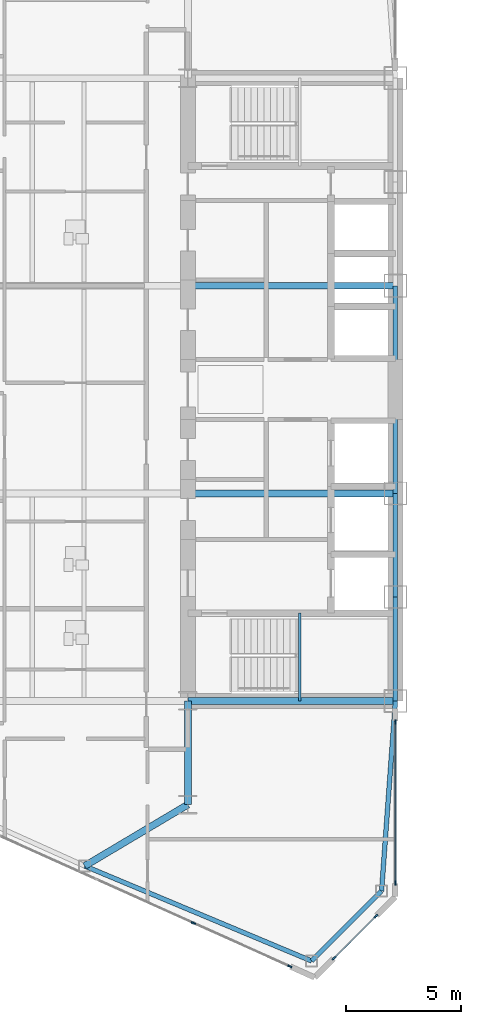
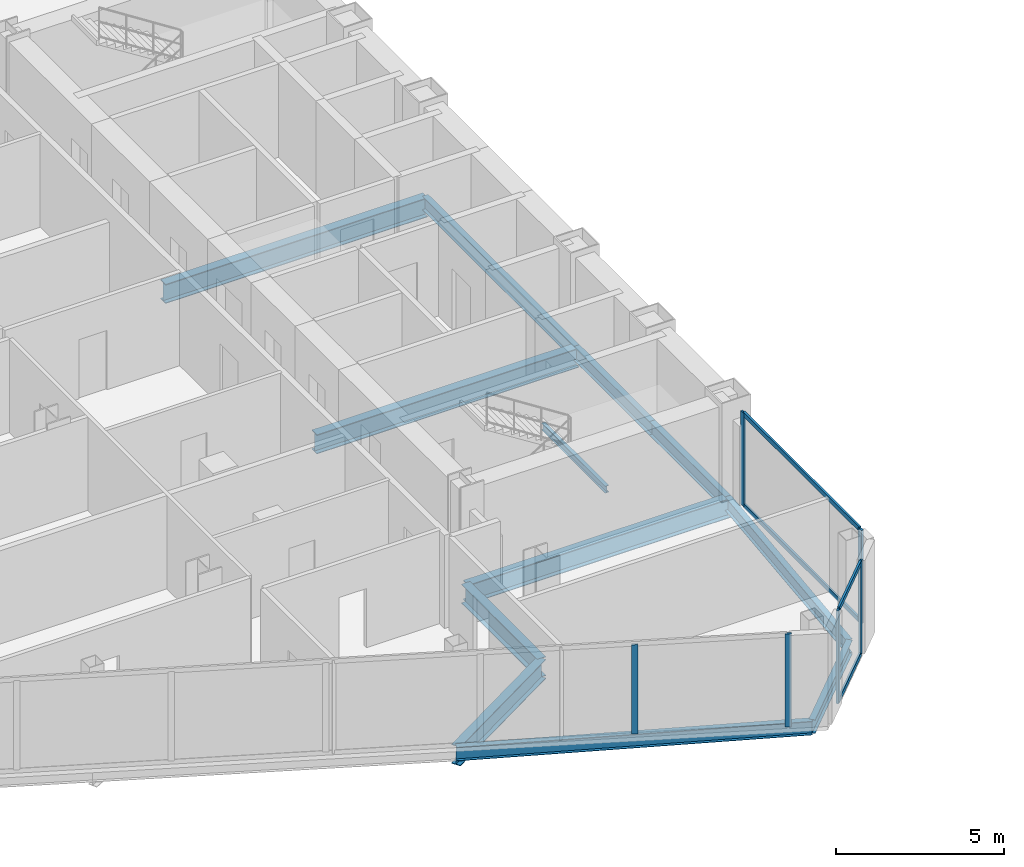
# One storey, part 6 of 27: 12 beams, 10 members, 3 elements without a shape of their own.
"""IFC4 building model written with IfcOpenShell, lengths in metres."""

import ifcopenshell
import ifcopenshell.guid

model = None  # the IFC model being written
_history = None  # IfcOwnerHistory: only IFC2X3 demands one
_inside = {}  # id of a spatial element -> (the spatial element, [elements in it])
_under = {}  # id of a project, library or spatial element -> (it, [spatial elements below it])
_declared = {}  # id of a project -> (the project, [libraries it declares])
_typed = {}  # id of a type object -> (the type object, [elements of that type])
_made_of = {}  # id of a material, layer set ... -> (it, [elements and type objects made of it])


def new_model(schema):
    """Start an empty IFC model of exactly this schema.

    Asked for "IFC4X3", IfcOpenShell would pick the latest addendum, in which some entities
    have other attributes; the version numbers below select the first issue.
    IFC2X3 requires an IfcOwnerHistory on every rooted entity: one is made here for all.
    """
    global model, _history
    if schema == "IFC4X3":
        model = ifcopenshell.file(schema_version=(4, 3, 0, 0))
    else:
        model = ifcopenshell.file(schema=schema)
    _inside.clear()
    _under.clear()
    _declared.clear()
    _typed.clear()
    _made_of.clear()
    _history = None
    if model.schema == "IFC2X3":
        org = make("IfcOrganization", Name="unknown")
        user = make(
            "IfcPersonAndOrganization",
            ThePerson=make("IfcPerson", FamilyName="unknown"),
            TheOrganization=org,
        )
        app = make(
            "IfcApplication",
            ApplicationDeveloper=org,
            Version="unknown",
            ApplicationFullName="unknown",
            ApplicationIdentifier="unknown",
        )
        _history = make(
            "IfcOwnerHistory",
            OwningUser=user,
            OwningApplication=app,
            ChangeAction="ADDED",
            CreationDate=0,
        )
    return model


def make(cls, **values):
    """One entity of the class cls with the attributes given. An attribute that is None is left unset."""
    return model.create_entity(
        cls, **{name: value for name, value in values.items() if value is not None}
    )


def rooted(cls, **values):
    """An entity with a GlobalId (a new one), such as an element, a storey or a relation."""
    return make(cls, GlobalId=ifcopenshell.guid.new(), OwnerHistory=_history, **values)


def si_unit(unit_type, name, prefix=None):
    """IfcSIUnit, for example si_unit("LENGTHUNIT", "METRE", prefix="MILLI")."""
    return make("IfcSIUnit", UnitType=unit_type, Prefix=prefix, Name=name)


def assignment(units):
    """IfcUnitAssignment: the units of a project."""
    return None if units is None else make("IfcUnitAssignment", Units=units)


def point(xyz):
    """IfcCartesianPoint."""
    return None if xyz is None else make("IfcCartesianPoint", Coordinates=xyz)


def direction(xyz):
    """IfcDirection."""
    return None if xyz is None else make("IfcDirection", DirectionRatios=xyz)


def frame(location, z_axis=None, x_axis=None):
    """IfcAxis2Placement3D, a coordinate frame: its origin and axes. An axis left out is left unset."""
    return make(
        "IfcAxis2Placement3D",
        Location=point(location),
        Axis=direction(z_axis),
        RefDirection=direction(x_axis),
    )


def frame_2d(location, x_axis=None):
    """IfcAxis2Placement2D, a coordinate frame in the plane: its origin and x axis."""
    return make(
        "IfcAxis2Placement2D", Location=point(location), RefDirection=direction(x_axis)
    )


def origin():
    """The frame at (0, 0, 0) with its axes left unset."""
    return frame((0.0, 0.0, 0.0))


def origin_2d():
    """The frame at (0, 0) in the plane with its x axis left unset."""
    return frame_2d((0.0, 0.0))


def place(relative_to, where):
    """IfcLocalPlacement: puts the frame where relative to a parent placement (None: the world)."""
    return make(
        "IfcLocalPlacement", PlacementRelTo=relative_to, RelativePlacement=where
    )


def context(
    kind, dimensions, precision=None, world=None, true_north=None, identifier=None
):
    """IfcGeometricRepresentationContext, for example the 3D "Model" context."""
    return make(
        "IfcGeometricRepresentationContext",
        ContextIdentifier=identifier,
        ContextType=kind,
        CoordinateSpaceDimension=dimensions,
        Precision=precision,
        WorldCoordinateSystem=world,
        TrueNorth=true_north,
    )


def subcontext(parent, identifier, kind, view, scale=None):
    """IfcGeometricRepresentationSubContext, for example "Body" below "Model"."""
    return make(
        "IfcGeometricRepresentationSubContext",
        ContextIdentifier=identifier,
        ContextType=kind,
        ParentContext=parent,
        TargetScale=scale,
        TargetView=view,
    )


def project(units=None, contexts=None):
    """IfcProject with its units and contexts."""
    return rooted(
        "IfcProject",
        Name="project",
        RepresentationContexts=contexts,
        UnitsInContext=assignment(units),
    )


def spatial(cls, under=None, at=None, **own):
    """A site, building, storey or space (cls), placed at a placement, below another one or the project."""
    s = rooted(cls, ObjectPlacement=at, **own)
    if under is not None:
        _under.setdefault(under.id(), (under, []))[1].append(s)
    return s


def profile(cls, at=None, kind="AREA", **sizes):
    """A parametric profile (cls). Its sizes go by their IFC names, for example OverallWidth=200.0."""
    return make(cls, ProfileType=kind, Position=at, **sizes)


def rectangle(**sizes):
    """IfcRectangleProfileDef."""
    return profile("IfcRectangleProfileDef", **sizes)


def i_section(**sizes):
    """IfcIShapeProfileDef."""
    return profile("IfcIShapeProfileDef", **sizes)


def extrude(swept, where, along, depth):
    """IfcExtrudedAreaSolid: the profile swept, set in the frame where, extruded along a direction by depth."""
    return make(
        "IfcExtrudedAreaSolid",
        SweptArea=swept,
        Position=where,
        ExtrudedDirection=direction(along),
        Depth=depth,
    )


def shape(context_of_items, identifier, shape_type, items):
    """IfcShapeRepresentation: the items that make up one representation, for example the "Body"."""
    return make(
        "IfcShapeRepresentation",
        ContextOfItems=context_of_items,
        RepresentationIdentifier=identifier,
        RepresentationType=shape_type,
        Items=items,
    )


def source(mapping_origin, context_of_items, identifier, shape_type, items):
    """IfcRepresentationMap: a shape defined once, which mapped items show again and again."""
    return make(
        "IfcRepresentationMap",
        MappingOrigin=mapping_origin,
        MappedRepresentation=shape(context_of_items, identifier, shape_type, items),
    )


def transform(
    local_origin,
    x_axis=None,
    y_axis=None,
    z_axis=None,
    scale=None,
    scale2=None,
    scale3=None,
    uniform=True,
):
    """IfcCartesianTransformationOperator3D, or its non-uniform kind. x_axis, y_axis, z_axis: its Axis1, 2, 3."""
    if uniform:
        return make(
            "IfcCartesianTransformationOperator3D",
            Axis1=direction(x_axis),
            Axis2=direction(y_axis),
            LocalOrigin=point(local_origin),
            Scale=scale,
            Axis3=direction(z_axis),
        )
    return make(
        "IfcCartesianTransformationOperator3DnonUniform",
        Axis1=direction(x_axis),
        Axis2=direction(y_axis),
        LocalOrigin=point(local_origin),
        Scale=scale,
        Axis3=direction(z_axis),
        Scale2=scale2,
        Scale3=scale3,
    )


def mapped(mapping_source, mapping_target):
    """IfcMappedItem: shows the shape of a source again, moved by a transform."""
    return make(
        "IfcMappedItem", MappingSource=mapping_source, MappingTarget=mapping_target
    )


def material(Name=None, Category=None):
    """IfcMaterial."""
    return make("IfcMaterial", Name=Name, Category=Category)


def layer(
    of_material, thickness, ventilated=None, Name=None, Category=None, Priority=None
):
    """IfcMaterialLayer: one layer of a wall or slab, of a material (None: an air gap)."""
    return make(
        "IfcMaterialLayer",
        Material=of_material,
        LayerThickness=thickness,
        IsVentilated=ventilated,
        Name=Name,
        Category=Category,
        Priority=Priority,
    )


def layer_set(layers, Name=None):
    """IfcMaterialLayerSet."""
    return make("IfcMaterialLayerSet", MaterialLayers=layers, LayerSetName=Name)


def material_profile(
    of_material, cross_section, Name=None, Category=None, Priority=None
):
    """IfcMaterialProfile: a cross section and its material."""
    return make(
        "IfcMaterialProfile",
        Name=Name,
        Material=of_material,
        Profile=cross_section,
        Priority=Priority,
        Category=Category,
    )


def profile_set(profiles, Name=None, composite=None):
    """IfcMaterialProfileSet."""
    return make(
        "IfcMaterialProfileSet",
        Name=Name,
        MaterialProfiles=profiles,
        CompositeProfile=composite,
    )


def made_of(thing, what):
    """Note that an element or type object is made of a material, layer set ...; save() writes the relation."""
    if what is not None:
        _made_of.setdefault(what.id(), (what, []))[1].append(thing)
    return thing


def type_object(cls, material=None, **own):
    """A type object (cls), such as IfcWallType, which elements share."""
    return made_of(rooted(cls, **own), material)


def type_shapes(of_type, sources):
    """Give a type object the sources (RepresentationMaps) that its elements show as mapped items."""
    of_type.RepresentationMaps = sources


def element(
    cls,
    number,
    at=None,
    inside=None,
    cuts=None,
    type_object=None,
    material=None,
    context=None,
    identifier="Body",
    shape_type=None,
    held_by="IfcProductDefinitionShape",
    body=None,
    shapes=None,
    **own,
):
    """One element of the class cls, such as IfcWall. Its Tag is "e" and its number.

    at: its placement. inside: the storey or other place that contains it. cuts: it is an
    opening in that element (IfcRelVoidsElement). A single representation is given by context,
    identifier, shape_type and body (its items); several are given by shapes. held_by: the class
    of the entity that holds the representations. save() writes the other relations.
    """
    e = rooted(cls, Tag="e%d" % number, ObjectPlacement=at, **own)
    if body is not None:
        shapes = [shape(context, identifier, shape_type, body)]
    if shapes is not None:
        e.Representation = make(held_by, Representations=shapes)
    if inside is not None:
        _inside.setdefault(inside.id(), (inside, []))[1].append(e)
    if cuts is not None:
        rooted(
            "IfcRelVoidsElement", RelatingBuildingElement=cuts, RelatedOpeningElement=e
        )
    if type_object is not None:
        _typed.setdefault(type_object.id(), (type_object, []))[1].append(e)
    return made_of(e, material)


def aggregate(whole, parts):
    """IfcRelAggregates: a whole, such as a stair, and the parts it consists of."""
    return rooted("IfcRelAggregates", RelatingObject=whole, RelatedObjects=parts)


def save(model, path):
    """Write the relations noted so far, then the file.

    IfcRelAggregates (storeys below a building ...), IfcRelContainedInSpatialStructure (elements
    in a storey), IfcRelDefinesByType, IfcRelAssociatesMaterial and IfcRelDeclares: one each for
    every whole, place, type object, material and project.
    """
    for whole, parts in _under.values():
        aggregate(whole, parts)
    for where, things in _inside.values():
        rooted(
            "IfcRelContainedInSpatialStructure",
            RelatedElements=things,
            RelatingStructure=where,
        )
    for kind, things in _typed.values():
        rooted("IfcRelDefinesByType", RelatedObjects=things, RelatingType=kind)
    for what, things in _made_of.values():
        rooted("IfcRelAssociatesMaterial", RelatedObjects=things, RelatingMaterial=what)
    for by, libraries in _declared.values():
        rooted("IfcRelDeclares", RelatingContext=by, RelatedDefinitions=libraries)
    model.write(path)


model = new_model("IFC4")

# Units and contexts
model_context = context("Model", 3, precision=1e-05, world=origin(), true_north=direction((0.0, 1.0)))
body_context = subcontext(model_context, "Body", "Model", "MODEL_VIEW")
ifc_project = project(units=[si_unit("LENGTHUNIT", "METRE"), si_unit("AREAUNIT", "SQUARE_METRE"), si_unit("VOLUMEUNIT", "CUBIC_METRE"), si_unit("PLANEANGLEUNIT", "RADIAN"), si_unit("MASSUNIT", "GRAM", prefix="KILO")], contexts=[model_context])

# Site, building, storey
site_placement = place(None, origin())
site = spatial("IfcSite", under=ifc_project, at=site_placement, CompositionType="ELEMENT")
building_placement = place(site_placement, origin())
building = spatial("IfcBuilding", under=site, at=building_placement, Name="Seokmaru Belvedere", CompositionType="ELEMENT")
storey_placement = place(building_placement, frame((0.0, 0.0, 69.300048828125)))
storey = spatial("IfcBuildingStorey", under=building, at=storey_placement, Name="L18", CompositionType="ELEMENT", Elevation=69.300048828125)

# Beams
ifc_material_1 = material(Name="Steel SM355 (355 MPa)", Category="steel")
ifc_material_profile_1 = material_profile(ifc_material_1, i_section(OverallWidth=0.199951171875, OverallDepth=0.5, WebThickness=0.010009765625, FlangeThickness=0.01611328125, at=origin_2d()), Name="H-500x200x10x16")
ifc_profile_set_1 = profile_set([ifc_material_profile_1], Name="Steel SM355 (355 MPa)")
beam_type_1 = type_object("IfcBeamType", Name="Perimeter Spandrel Beam H-500", PredefinedType="SPANDREL", material=ifc_profile_set_1)
shared_shape_1 = source(origin(), body_context, "Body", "SweptSolid", [
    extrude(i_section(OverallWidth=0.199951171875, OverallDepth=0.5, WebThickness=0.010009765625, FlangeThickness=0.01611328125, at=origin_2d()), origin(), (0.0, 0.0, 1.0), 4.5),
])
for number, where, z_axis, x_axis, name in (
    (1, (-27.5, -13.5, -0.469970703125), (0.0, 1.0, 0.0), (-1.0, 0.0, 0.0), "L18 W Portal Spine Spandrel 1"),
    (2, (-27.5, -9.0, -0.469970703125), (0.0, 1.0, 0.0), (-1.0, 0.0, 0.0), "L18 W Portal Spine Spandrel 2"),
):
    element("IfcBeam", number, at=place(storey_placement, frame(where, z_axis=z_axis, x_axis=x_axis)), inside=storey, type_object=beam_type_1, Name=name, PredefinedType="SPANDREL", context=body_context, shape_type="MappedRepresentation", body=[
        mapped(shared_shape_1, transform((0.0, 0.0, 0.0), scale=1.0)),
    ])
shared_shape_2 = source(origin(), body_context, "Body", "SweptSolid", [
    extrude(i_section(OverallWidth=0.199951171875, OverallDepth=0.5, WebThickness=0.010009765625, FlangeThickness=0.01611328125, at=origin_2d()), origin(), (0.0, 0.0, 1.0), 9.0),
])
beam_1_placement = place(storey_placement, frame((-27.5, -4.5, -0.469970703125), z_axis=(0.0, 1.0, 0.0), x_axis=(-1.0, 0.0, 0.0)))
element("IfcBeam", 3, at=beam_1_placement, inside=storey, type_object=beam_type_1, Name="L18 W Portal Spine Spandrel 3", PredefinedType="SPANDREL", context=body_context, shape_type="MappedRepresentation", body=[
    mapped(shared_shape_2, transform((0.0, 0.0, 0.0), scale=1.0)),
])
ifc_material_profile_2 = material_profile(ifc_material_1, i_section(OverallWidth=0.300048828125, OverallDepth=0.699951171875, WebThickness=0.012939453125, FlangeThickness=0.02392578125, at=origin_2d()), Name="H-700x300x13x24")
ifc_profile_set_2 = profile_set([ifc_material_profile_2], Name="Steel SM355 (355 MPa)")
beam_type_2 = type_object("IfcBeamType", Name="Primary Floor Girder H-700", PredefinedType="BEAM", material=ifc_profile_set_2)
shared_shape_3 = source(origin(), body_context, "Body", "SweptSolid", [
    extrude(i_section(OverallWidth=0.300048828125, OverallDepth=0.699951171875, WebThickness=0.012939453125, FlangeThickness=0.02392578125, at=origin_2d()), origin(), (0.0, 0.0, 1.0), 4.5),
])
beam_2_placement = place(storey_placement, frame((-36.5, -18.0, -0.570068359375), z_axis=(0.0, 1.0, 0.0), x_axis=(-1.0, 0.0, 0.0)))
element("IfcBeam", 4, at=beam_2_placement, inside=storey, type_object=beam_type_2, Name="L18 W Core Shoulder Girder S", PredefinedType="BEAM", context=body_context, shape_type="MappedRepresentation", body=[
    mapped(shared_shape_3, transform((0.0, 0.0, 0.0), scale=1.0)),
])
shared_shape_4 = source(origin(), body_context, "Body", "SweptSolid", [
    extrude(i_section(OverallWidth=0.300048828125, OverallDepth=0.699951171875, WebThickness=0.012939453125, FlangeThickness=0.02392578125, at=origin_2d()), origin(), (0.0, 0.0, 1.0), 9.0),
])
for number, where, z_axis, x_axis, name in (
    (5, (-36.5, -13.5, -0.570068359375), (1.0, 0.0, 0.0), (0.0, 1.0, 0.0), "L18 W Core Tie Girder 1"),
    (6, (-36.5, -4.5, -0.570068359375), (1.0, 0.0, 0.0), (0.0, 1.0, 0.0), "L18 W Core Tie Girder 2"),
    (7, (-36.5, 4.5, -0.570068359375), (1.0, 0.0, 0.0), (0.0, 1.0, 0.0), "L18 W Core Tie Girder 3"),
):
    element("IfcBeam", number, at=place(storey_placement, frame(where, z_axis=z_axis, x_axis=x_axis)), inside=storey, type_object=beam_type_2, Name=name, PredefinedType="BEAM", context=body_context, shape_type="MappedRepresentation", body=[
        mapped(shared_shape_4, transform((0.0, 0.0, 0.0), scale=1.0)),
    ])
shared_shape_5 = source(origin(), body_context, "Body", "SweptSolid", [
    extrude(i_section(OverallWidth=0.199951171875, OverallDepth=0.5, WebThickness=0.010009765625, FlangeThickness=0.01611328125, at=origin_2d()), origin(), (0.0, 0.0, 1.0), 10.66943359375),
])
beam_3_placement = place(storey_placement, frame((-31.13134765625, -24.782958984375, -0.469970703125), z_axis=(-0.922375393128, 0.386294750355, 0.0), x_axis=(-0.386294750355, -0.922375393128, 0.0)))
element("IfcBeam", 8, at=beam_3_placement, inside=storey, type_object=beam_type_1, Name="L18 W Faceted Flank Spandrel S-1", PredefinedType="SPANDREL", context=body_context, shape_type="MappedRepresentation", body=[
    mapped(shared_shape_5, transform((0.0, 0.0, 0.0), scale=1.0)),
])
shared_shape_6 = source(origin(), body_context, "Body", "SweptSolid", [
    extrude(i_section(OverallWidth=0.199951171875, OverallDepth=0.5, WebThickness=0.010009765625, FlangeThickness=0.01611328125, at=origin_2d()), origin(), (0.0, 0.0, 1.0), 4.287109375),
])
beam_4_placement = place(storey_placement, frame((-31.13134765625, -24.782958984375, -0.469970703125), z_axis=(0.707078306132, 0.707135255094, 0.0), x_axis=(-0.707135255094, 0.707078306132, 0.0)))
element("IfcBeam", 9, at=beam_4_placement, inside=storey, type_object=beam_type_1, Name="L18 W Shoulder Chamfer Spandrel S", PredefinedType="SPANDREL", context=body_context, shape_type="MappedRepresentation", body=[
    mapped(shared_shape_6, transform((0.0, 0.0, 0.0), scale=1.0)),
])
shared_shape_7 = source(origin(), body_context, "Body", "SweptSolid", [
    extrude(i_section(OverallWidth=0.199951171875, OverallDepth=0.5, WebThickness=0.010009765625, FlangeThickness=0.01611328125, at=origin_2d()), origin(), (0.0, 0.0, 1.0), 8.273193359375),
])
type_shapes(beam_type_1, [shared_shape_1, shared_shape_2, shared_shape_5, shared_shape_6, shared_shape_7])
beam_5_placement = place(storey_placement, frame((-28.10009765625, -21.75146484375, -0.469970703125), z_axis=(0.072534628348, 0.99736589459, 0.0), x_axis=(-0.99736589459, 0.072534628348, 0.0)))
element("IfcBeam", 10, at=beam_5_placement, inside=storey, type_object=beam_type_1, Name="L18 W Shoulder Spine Spandrel S", PredefinedType="SPANDREL", context=body_context, shape_type="MappedRepresentation", body=[
    mapped(shared_shape_7, transform((0.0, 0.0, 0.0), scale=1.0)),
])
shared_shape_8 = source(origin(), body_context, "Body", "SweptSolid", [
    extrude(i_section(OverallWidth=0.300048828125, OverallDepth=0.699951171875, WebThickness=0.012939453125, FlangeThickness=0.02392578125, at=origin_2d()), origin(), (0.0, 0.0, 1.0), 5.20458984375),
])
type_shapes(beam_type_2, [shared_shape_3, shared_shape_4, shared_shape_8])
beam_6_placement = place(storey_placement, frame((-40.97265625, -20.661376953125, -0.570068359375), z_axis=(0.859370434188, 0.511353553662, 0.0), x_axis=(-0.511353553662, 0.859370434188, 0.0)))
element("IfcBeam", 11, at=beam_6_placement, inside=storey, type_object=beam_type_2, Name="L18 W Flank Radial Floor Girder S-1", PredefinedType="BEAM", context=body_context, shape_type="MappedRepresentation", body=[
    mapped(shared_shape_8, transform((0.0, 0.0, 0.0), scale=1.0)),
])

# Curtain wall, members
ifc_material_2 = material(Name="Bronze Triple Insulating Glass", Category="glass")
ifc_layer = layer(ifc_material_2, 0.195068359375)
ifc_layer_set = layer_set([ifc_layer], Name="Bronze Triple Insulating Glass")
curtain_wall_type = type_object("IfcCurtainWallType", Name="Lower-Mid Tapered Curtain Wall System CW-3", PredefinedType="NOTDEFINED", material=ifc_layer_set)
curtain_wall_1_placement = place(storey_placement, origin())
curtain_wall_1 = element("IfcCurtainWall", 12, at=curtain_wall_1_placement, inside=storey, type_object=curtain_wall_type, Name="L18 Curtain Wall WSP_1", PredefinedType="NOTDEFINED")
ifc_material_3 = material(Name="Anodised Bronze Aluminium", Category="aluminium")
ifc_material_profile_3 = material_profile(ifc_material_3, rectangle(XDim=0.070068359375, YDim=0.195068359375, at=origin_2d()), Name="CW-M-70x195")
ifc_profile_set_3 = profile_set([ifc_material_profile_3], Name="Anodised Bronze Aluminium")
member_type_1 = type_object("IfcMemberType", Name="Bronze Unitised Mullion 70x195", PredefinedType="MULLION", material=ifc_profile_set_3)
shared_shape_9 = source(origin(), body_context, "Body", "SweptSolid", [
    extrude(rectangle(XDim=0.070068359375, YDim=0.195068359375, at=origin_2d()), origin(), (0.0, 0.0, 1.0), 3.3798828125),
])
member_1_placement = place(storey_placement, frame((-27.5, -21.39501953125, 0.0), z_axis=(0.0, 0.0, 1.0), x_axis=(-1.0, 0.0, 0.0)))
member_1 = element("IfcMember", 13, at=member_1_placement, type_object=member_type_1, Name="CW:L18:WSP_1 Mullion 1", PredefinedType="MULLION", context=body_context, shape_type="MappedRepresentation", body=[
    mapped(shared_shape_9, transform((0.0, 0.0, 0.0), scale=1.0)),
])
member_2_placement = place(storey_placement, frame((-27.5, -14.4150390625, 0.0), z_axis=(0.0, 0.0, 1.0), x_axis=(-1.0, 0.0, 0.0)))
member_2 = element("IfcMember", 14, at=member_2_placement, type_object=member_type_1, Name="CW:L18:WSP_1 Mullion 2", PredefinedType="MULLION", context=body_context, shape_type="MappedRepresentation", body=[
    mapped(shared_shape_9, transform((0.0, 0.0, 0.0), scale=1.0)),
])

# Curtain wall, member
curtain_wall_2_placement = place(storey_placement, origin())
curtain_wall_2 = element("IfcCurtainWall", 15, at=curtain_wall_2_placement, inside=storey, type_object=curtain_wall_type, Name="L18 Curtain Wall WF5", PredefinedType="NOTDEFINED")
member_3_placement = place(storey_placement, frame((-32.08056640625, -25.013671875, 0.0), z_axis=(0.0, 0.0, 1.0), x_axis=(0.41036554765, 0.91192111353, 0.0)))
member_3 = element("IfcMember", 16, at=member_3_placement, type_object=member_type_1, Name="CW:L18:WF5 Mullion 10", PredefinedType="MULLION", context=body_context, shape_type="MappedRepresentation", body=[
    mapped(shared_shape_9, transform((0.0, 0.0, 0.0), scale=1.0)),
])

# Curtain wall, members
curtain_wall_3_placement = place(storey_placement, origin())
curtain_wall_3 = element("IfcCurtainWall", 17, at=curtain_wall_3_placement, inside=storey, type_object=curtain_wall_type, Name="L18 Curtain Wall WF6", PredefinedType="NOTDEFINED")
member_4_placement = place(storey_placement, frame((-30.162109375, -24.662109375, 0.0), z_axis=(0.0, 0.0, 1.0), x_axis=(-0.707106781187, 0.707106781187, 0.0)))
member_4 = element("IfcMember", 18, at=member_4_placement, type_object=member_type_1, Name="CW:L18:WF6 Mullion 1", PredefinedType="MULLION", context=body_context, shape_type="MappedRepresentation", body=[
    mapped(shared_shape_9, transform((0.0, 0.0, 0.0), scale=1.0)),
])
member_5_placement = place(storey_placement, frame((-28.337890625, -22.837890625, 0.0), z_axis=(0.0, 0.0, 1.0), x_axis=(-0.707106781187, 0.707106781187, 0.0)))
member_5 = element("IfcMember", 19, at=member_5_placement, type_object=member_type_1, Name="CW:L18:WF6 Mullion 2", PredefinedType="MULLION", context=body_context, shape_type="MappedRepresentation", body=[
    mapped(shared_shape_9, transform((0.0, 0.0, 0.0), scale=1.0)),
])

# Member
ifc_material_profile_4 = material_profile(ifc_material_3, rectangle(XDim=0.070068359375, YDim=0.1650390625, at=origin_2d()), Name="CW-T-70x165")
ifc_profile_set_4 = profile_set([ifc_material_profile_4], Name="Anodised Bronze Aluminium")
member_type_2 = type_object("IfcMemberType", Name="Bronze Unitised Transom 70x165", PredefinedType="USERDEFINED", material=ifc_profile_set_4)
shared_shape_10 = source(origin(), body_context, "Body", "SweptSolid", [
    extrude(rectangle(XDim=0.070068359375, YDim=0.1650390625, at=origin_2d()), origin(), (0.0, 0.0, 1.0), 6.91015625),
])
member_6_placement = place(storey_placement, frame((-27.5, -21.360107421875, 0.034912109375), z_axis=(0.0, 1.0, 0.0), x_axis=(-1.0, 0.0, 0.0)))
member_6 = element("IfcMember", 20, at=member_6_placement, type_object=member_type_2, Name="CW:L18:WSP_1 Continuous Transom 1", ObjectType="TRANSOM", PredefinedType="USERDEFINED", context=body_context, shape_type="MappedRepresentation", body=[
    mapped(shared_shape_10, transform((0.0, 0.0, 0.0), scale=1.0)),
])

member_7_placement = place(storey_placement, frame((-27.5, -21.360107421875, 3.344970703125), z_axis=(0.0, 1.0, 0.0), x_axis=(-1.0, 0.0, 0.0)))
member_7 = element("IfcMember", 21, at=member_7_placement, type_object=member_type_2, Name="CW:L18:WSP_1 Continuous Transom 2", ObjectType="TRANSOM", PredefinedType="USERDEFINED", context=body_context, shape_type="MappedRepresentation", body=[
    mapped(shared_shape_10, transform((0.0, 0.0, 0.0), scale=1.0)),
])

aggregate(curtain_wall_1, [member_1, member_2, member_6, member_7])

shared_shape_11 = source(origin(), body_context, "Body", "SweptSolid", [
    extrude(rectangle(XDim=0.070068359375, YDim=0.1650390625, at=origin_2d()), origin(), (0.0, 0.0, 1.0), 2.509521484375),
])
type_shapes(member_type_2, [shared_shape_10, shared_shape_11])
member_8_placement = place(storey_placement, frame((-30.13720703125, -24.63720703125, 0.034912109375), z_axis=(0.707106781187, 0.707106781187, 0.0), x_axis=(-0.707106781187, 0.707106781187, 0.0)))
member_8 = element("IfcMember", 22, at=member_8_placement, type_object=member_type_2, Name="CW:L18:WF6 Continuous Transom 1", ObjectType="TRANSOM", PredefinedType="USERDEFINED", context=body_context, shape_type="MappedRepresentation", body=[
    mapped(shared_shape_11, transform((0.0, 0.0, 0.0), scale=1.0)),
])

member_9_placement = place(storey_placement, frame((-30.13720703125, -24.63720703125, 3.344970703125), z_axis=(0.707106781187, 0.707106781187, 0.0), x_axis=(-0.707106781187, 0.707106781187, 0.0)))
member_9 = element("IfcMember", 23, at=member_9_placement, type_object=member_type_2, Name="CW:L18:WF6 Continuous Transom 2", ObjectType="TRANSOM", PredefinedType="USERDEFINED", context=body_context, shape_type="MappedRepresentation", body=[
    mapped(shared_shape_11, transform((0.0, 0.0, 0.0), scale=1.0)),
])

aggregate(curtain_wall_3, [member_4, member_5, member_8, member_9])

shared_shape_12 = source(origin(), body_context, "Body", "SweptSolid", [
    extrude(rectangle(XDim=0.070068359375, YDim=0.195068359375, at=origin_2d()), origin(), (0.0, 0.0, 1.0), 3.239990234375),
])
type_shapes(member_type_1, [shared_shape_9, shared_shape_12])
member_10_placement = place(storey_placement, frame((-36.260009765625, -23.133056640625, 0.070068359375), z_axis=(0.0, 0.0, 1.0), x_axis=(0.41036554765, 0.91192111353, 0.0)))
member_10 = element("IfcMember", 24, at=member_10_placement, type_object=member_type_1, Name="CW:L18:WF5 Mullion 9", PredefinedType="MULLION", context=body_context, shape_type="MappedRepresentation", body=[
    mapped(shared_shape_12, transform((0.0, 0.0, 0.0), scale=1.0)),
])

aggregate(curtain_wall_2, [member_10, member_3])

# Beam
ifc_material_profile_5 = material_profile(ifc_material_1, i_section(OverallWidth=0.125, OverallDepth=0.25, WebThickness=0.006103515625, FlangeThickness=0.009033203125, at=origin_2d()), Name="H-250x125x6x9")
ifc_profile_set_5 = profile_set([ifc_material_profile_5], Name="Steel SM355 (355 MPa)")
beam_type_3 = type_object("IfcBeamType", Name="Stair Mid-Landing Support Beam H-250", PredefinedType="JOIST", material=ifc_profile_set_5)
shared_shape_13 = source(origin(), body_context, "Body", "SweptSolid", [
    extrude(i_section(OverallWidth=0.125, OverallDepth=0.25, WebThickness=0.006103515625, FlangeThickness=0.009033203125, at=origin_2d()), origin(), (0.0, 0.0, 1.0), 3.800048828125),
])
type_shapes(beam_type_3, [shared_shape_13])
beam_7_placement = place(storey_placement, frame((-31.64990234375, -13.5, 1.474853515625), z_axis=(0.0, 1.0, 0.0), x_axis=(-1.0, 0.0, 0.0)))
element("IfcBeam", 25, at=beam_7_placement, inside=storey, type_object=beam_type_3, Name="L18 Stair ST-W1 Mid-Landing Support Beam 1", PredefinedType="JOIST", context=body_context, shape_type="MappedRepresentation", body=[
    mapped(shared_shape_13, transform((0.0, 0.0, 0.0), scale=1.0)),
])

save(model, "model.ifc")
